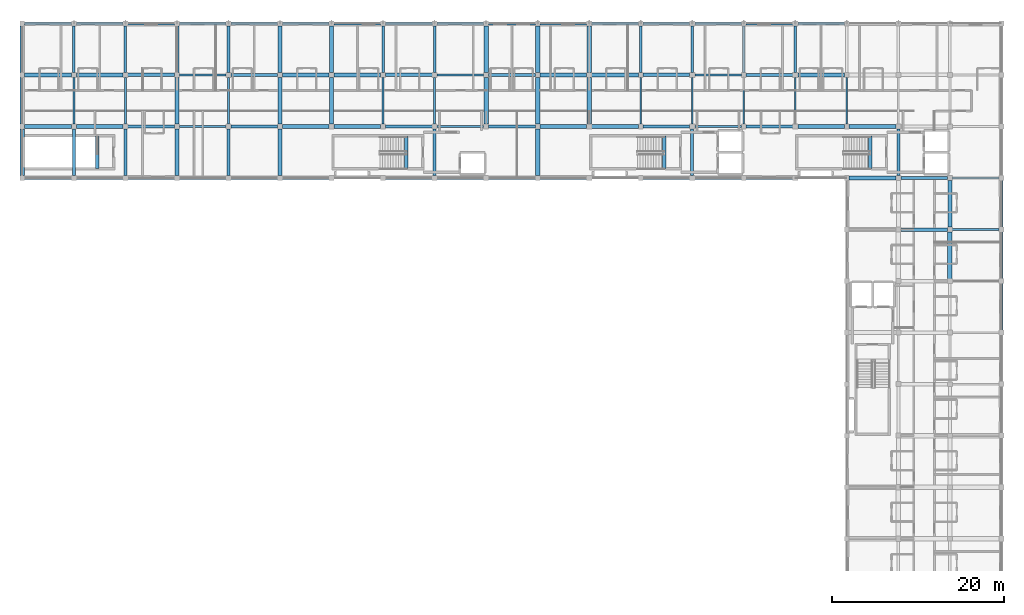
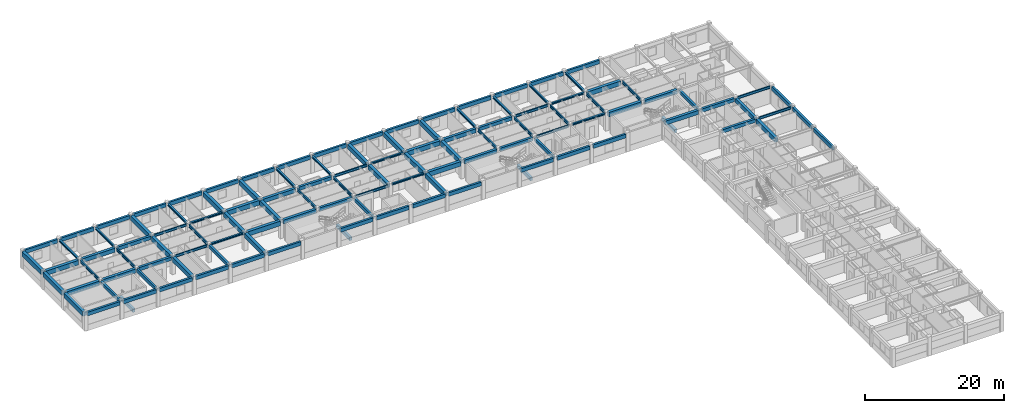
# One storey, part 2 of 21: 119 beams.
"""IFC4 building model written with IfcOpenShell, lengths in metres."""

from ifc_helpers import new_model, si_unit, direction, frame, origin, origin_2d, place, context, subcontext, project, spatial, rectangle, i_section, extrude, material, material_profile, profile_set, type_object, element, save


model = new_model("IFC4")

# Units and contexts
model_context = context("Model", 3, precision=1e-05, world=origin(), true_north=direction((0.0, 1.0)))
body_context = subcontext(model_context, "Body", "Model", "MODEL_VIEW")
ifc_project = project(units=[si_unit("LENGTHUNIT", "METRE"), si_unit("AREAUNIT", "SQUARE_METRE"), si_unit("VOLUMEUNIT", "CUBIC_METRE"), si_unit("PLANEANGLEUNIT", "RADIAN"), si_unit("MASSUNIT", "GRAM", prefix="KILO"), si_unit("THERMODYNAMICTEMPERATUREUNIT", "KELVIN"), si_unit("POWERUNIT", "WATT")], contexts=[model_context])

# Site, building, storey
site_placement = place(None, origin())
site = spatial("IfcSite", under=ifc_project, at=site_placement, CompositionType="ELEMENT")
building_placement = place(site_placement, origin())
building = spatial("IfcBuilding", under=site, at=building_placement, Name="Phaisarnlok Congress Hotel", CompositionType="ELEMENT")
storey_placement = place(building_placement, frame((0.0, 0.0, 34.800048828125)))
storey = spatial("IfcBuildingStorey", under=building, at=storey_placement, Name="L08", CompositionType="ELEMENT", Elevation=34.800048828125)

# Beams
ifc_material_1 = material(Name="Concrete C40/50", Category="concrete")
ifc_material_profile_1 = material_profile(ifc_material_1, rectangle(XDim=0.35009765625, YDim=0.550048828125, at=origin_2d()), Name="RC 350x550")
ifc_profile_set_1 = profile_set([ifc_material_profile_1], Name="Concrete C40/50")
beam_type_1 = type_object("IfcBeamType", Name="BM-RC-350x550", PredefinedType="BEAM", material=ifc_profile_set_1)
beam_1_placement = place(storey_placement, frame((72.0, 108.294921875, 2.820068359375), z_axis=(0.0, 1.0, 0.0), x_axis=(-1.0, 0.0, 0.0)))
element("IfcBeam", 1, at=beam_1_placement, inside=storey, type_object=beam_type_1, Name="Beam B-01", PredefinedType="BEAM", context=body_context, shape_type="SweptSolid", body=[
    extrude(rectangle(XDim=0.35009765625, YDim=0.550048828125, at=origin_2d()), origin(), (0.0, 0.0, 1.0), 5.41015625),
])
for number, where, z_axis, x_axis, name in (
    (2, (78.0, 108.27001953125, 2.820068359375), (0.0, 1.0, 0.0), (-1.0, 0.0, 0.0), "Beam B-01"),
    (3, (90.0, 108.27001953125, 2.820068359375), (0.0, 1.0, 0.0), (-1.0, 0.0, 0.0), "Beam B-01"),
    (4, (114.0, 108.27001953125, 2.794921875), (0.0, 1.0, 0.0), (-1.0, 0.0, 0.0), "Beam B-01"),
):
    element("IfcBeam", number, at=place(storey_placement, frame(where, z_axis=z_axis, x_axis=x_axis)), inside=storey, type_object=beam_type_1, Name=name, PredefinedType="BEAM", context=body_context, shape_type="SweptSolid", body=[
        extrude(rectangle(XDim=0.35009765625, YDim=0.550048828125, at=origin_2d()), origin(), (0.0, 0.0, 1.0), 5.4599609375),
    ])
for number, where, z_axis, x_axis, name in (
    (5, (144.0, 108.294921875, 2.794921875), (0.0, 1.0, 0.0), (-1.0, 0.0, 0.0), "Beam B-01"),
    (6, (168.0, 108.294921875, 2.794921875), (0.0, 1.0, 0.0), (-1.0, 0.0, 0.0), "Beam B-01"),
):
    element("IfcBeam", number, at=place(storey_placement, frame(where, z_axis=z_axis, x_axis=x_axis)), inside=storey, type_object=beam_type_1, Name=name, PredefinedType="BEAM", context=body_context, shape_type="SweptSolid", body=[
        extrude(rectangle(XDim=0.35009765625, YDim=0.550048828125, at=origin_2d()), origin(), (0.0, 0.0, 1.0), 5.41015625),
    ])
ifc_material_profile_2 = material_profile(ifc_material_1, rectangle(XDim=0.39990234375, YDim=0.60009765625, at=origin_2d()), Name="RC 400x600")
ifc_profile_set_2 = profile_set([ifc_material_profile_2], Name="Concrete C40/50")
beam_type_2 = type_object("IfcBeamType", Name="BM-RC-400x600", PredefinedType="BEAM", material=ifc_profile_set_2)
for number, where, z_axis, x_axis, name in (
    (7, (78.27001953125, 114.0, 2.794921875), (1.0, 0.0, 0.0), (0.0, 1.0, 0.0), "Beam B-02"),
    (8, (78.27001953125, 120.0, 2.794921875), (1.0, 0.0, 0.0), (0.0, 1.0, 0.0), "Beam B-02"),
    (9, (108.294921875, 114.0, 2.77001953125), (1.0, 0.0, 0.0), (0.0, 1.0, 0.0), "Beam B-02"),
    (10, (108.294921875, 120.0, 2.77001953125), (1.0, 0.0, 0.0), (0.0, 1.0, 0.0), "Beam B-02"),
    (11, (138.27001953125, 114.0, 2.77001953125), (1.0, 0.0, 0.0), (0.0, 1.0, 0.0), "Beam B-02"),
    (12, (138.27001953125, 120.0, 2.77001953125), (1.0, 0.0, 0.0), (0.0, 1.0, 0.0), "Beam B-02"),
    (13, (168.294921875, 102.0, 2.77001953125), (1.0, 0.0, 0.0), (0.0, 1.0, 0.0), "Beam B-02"),
    (14, (168.294921875, 108.0, 2.77001953125), (1.0, 0.0, 0.0), (0.0, 1.0, 0.0), "Beam B-02"),
):
    element("IfcBeam", number, at=place(storey_placement, frame(where, z_axis=z_axis, x_axis=x_axis)), inside=storey, type_object=beam_type_2, Name=name, PredefinedType="BEAM", context=body_context, shape_type="SweptSolid", body=[
        extrude(rectangle(XDim=0.39990234375, YDim=0.60009765625, at=origin_2d()), origin(), (0.0, 0.0, 1.0), 5.43505859375),
    ])
for number, where, z_axis, x_axis, name in (
    (15, (164.719970703125, 109.080078125, -0.300048828125), (0.0, 1.0, 0.0), (-1.0, 0.0, 0.0), "Stair landing header beam B-02 (CORE-1 L08)"),
    (16, (140.719970703125, 109.080078125, -0.300048828125), (0.0, 1.0, 0.0), (-1.0, 0.0, 0.0), "Stair landing header beam B-02 (CORE-2 L08)"),
    (17, (110.719970703125, 109.080078125, -0.300048828125), (0.0, 1.0, 0.0), (-1.0, 0.0, 0.0), "Stair landing header beam B-02 (CORE-4 L08)"),
    (18, (74.719970703125, 109.080078125, -0.300048828125), (0.0, 1.0, 0.0), (-1.0, 0.0, 0.0), "Stair landing header beam B-02 (STAIR-HW L08)"),
):
    element("IfcBeam", number, at=place(storey_placement, frame(where, z_axis=z_axis, x_axis=x_axis)), inside=storey, type_object=beam_type_2, Name=name, PredefinedType="BEAM", context=body_context, shape_type="SweptSolid", body=[
        extrude(rectangle(XDim=0.39990234375, YDim=0.60009765625, at=origin_2d()), origin(), (0.0, 0.0, 1.0), 3.83984375),
    ])
ifc_material_profile_3 = material_profile(ifc_material_1, rectangle(XDim=0.449951171875, YDim=0.699951171875, at=origin_2d()), Name="RC 450x700")
ifc_profile_set_3 = profile_set([ifc_material_profile_3], Name="Concrete C40/50")
beam_type_3 = type_object("IfcBeamType", Name="BM-RC-450x700", PredefinedType="BEAM", material=ifc_profile_set_3)
for number, where, z_axis, x_axis, name in (
    (19, (72.294921875, 114.0, 2.744873046875), (1.0, 0.0, 0.0), (0.0, 1.0, 0.0), "Beam B-03"),
    (20, (72.294921875, 120.0, 2.744873046875), (1.0, 0.0, 0.0), (0.0, 1.0, 0.0), "Beam B-03"),
    (21, (102.27001953125, 114.0, 2.719970703125), (1.0, 0.0, 0.0), (0.0, 1.0, 0.0), "Beam B-03"),
    (22, (102.27001953125, 120.0, 2.719970703125), (1.0, 0.0, 0.0), (0.0, 1.0, 0.0), "Beam B-03"),
    (23, (132.294921875, 114.0, 2.719970703125), (1.0, 0.0, 0.0), (0.0, 1.0, 0.0), "Beam B-03"),
    (24, (132.294921875, 120.0, 2.719970703125), (1.0, 0.0, 0.0), (0.0, 1.0, 0.0), "Beam B-03"),
    (25, (162.27001953125, 108.0, 2.719970703125), (1.0, 0.0, 0.0), (0.0, 1.0, 0.0), "Beam B-03"),
    (26, (162.27001953125, 114.0, 2.719970703125), (1.0, 0.0, 0.0), (0.0, 1.0, 0.0), "Beam B-03"),
):
    element("IfcBeam", number, at=place(storey_placement, frame(where, z_axis=z_axis, x_axis=x_axis)), inside=storey, type_object=beam_type_3, Name=name, PredefinedType="BEAM", context=body_context, shape_type="SweptSolid", body=[
        extrude(rectangle(XDim=0.449951171875, YDim=0.699951171875, at=origin_2d()), origin(), (0.0, 0.0, 1.0), 5.43505859375),
    ])
beam_2_placement = place(storey_placement, frame((174.0, 102.27001953125, 2.719970703125), z_axis=(0.0, 1.0, 0.0), x_axis=(-1.0, 0.0, 0.0)))
element("IfcBeam", 27, at=beam_2_placement, inside=storey, type_object=beam_type_3, Name="Beam B-03", PredefinedType="BEAM", context=body_context, shape_type="SweptSolid", body=[
    extrude(rectangle(XDim=0.449951171875, YDim=0.699951171875, at=origin_2d()), origin(), (0.0, 0.0, 1.0), 5.4599609375),
])
ifc_material_profile_4 = material_profile(ifc_material_1, rectangle(XDim=0.5, YDim=0.800048828125, at=origin_2d()), Name="RC 500x800")
ifc_profile_set_4 = profile_set([ifc_material_profile_4], Name="Concrete C40/50")
beam_type_4 = type_object("IfcBeamType", Name="BM-RC-500x800", PredefinedType="BEAM", material=ifc_profile_set_4)
for number, where, z_axis, x_axis, name in (
    (28, (66.27001953125, 114.0, 2.695068359375), (1.0, 0.0, 0.0), (0.0, 1.0, 0.0), "Beam B-04"),
    (29, (66.27001953125, 120.0, 2.695068359375), (1.0, 0.0, 0.0), (0.0, 1.0, 0.0), "Beam B-04"),
):
    element("IfcBeam", number, at=place(storey_placement, frame(where, z_axis=z_axis, x_axis=x_axis)), inside=storey, type_object=beam_type_4, Name=name, PredefinedType="BEAM", context=body_context, shape_type="SweptSolid", body=[
        extrude(rectangle(XDim=0.5, YDim=0.800048828125, at=origin_2d()), origin(), (0.0, 0.0, 1.0), 5.43505859375),
    ])
for number, where, z_axis, x_axis, name in (
    (30, (84.0, 108.294921875, 2.695068359375), (0.0, 1.0, 0.0), (-1.0, 0.0, 0.0), "Beam B-04"),
    (31, (84.0, 114.294921875, 2.695068359375), (0.0, 1.0, 0.0), (-1.0, 0.0, 0.0), "Beam B-04"),
    (32, (84.0, 120.294921875, 2.695068359375), (0.0, 1.0, 0.0), (-1.0, 0.0, 0.0), "Beam B-04"),
    (33, (96.0, 108.294921875, 2.695068359375), (0.0, 1.0, 0.0), (-1.0, 0.0, 0.0), "Beam B-04"),
):
    element("IfcBeam", number, at=place(storey_placement, frame(where, z_axis=z_axis, x_axis=x_axis)), inside=storey, type_object=beam_type_4, Name=name, PredefinedType="BEAM", context=body_context, shape_type="SweptSolid", body=[
        extrude(rectangle(XDim=0.5, YDim=0.800048828125, at=origin_2d()), origin(), (0.0, 0.0, 1.0), 5.41015625),
    ])
beam_3_placement = place(storey_placement, frame((96.294921875, 114.0, 2.695068359375), z_axis=(1.0, 0.0, 0.0), x_axis=(0.0, 1.0, 0.0)))
element("IfcBeam", 34, at=beam_3_placement, inside=storey, type_object=beam_type_4, Name="Beam B-04", PredefinedType="BEAM", context=body_context, shape_type="SweptSolid", body=[
    extrude(rectangle(XDim=0.5, YDim=0.800048828125, at=origin_2d()), origin(), (0.0, 0.0, 1.0), 5.43505859375),
])
beam_4_placement = place(storey_placement, frame((96.0, 114.294921875, 2.695068359375), z_axis=(0.0, 1.0, 0.0), x_axis=(-1.0, 0.0, 0.0)))
element("IfcBeam", 35, at=beam_4_placement, inside=storey, type_object=beam_type_4, Name="Beam B-04", PredefinedType="BEAM", context=body_context, shape_type="SweptSolid", body=[
    extrude(rectangle(XDim=0.5, YDim=0.800048828125, at=origin_2d()), origin(), (0.0, 0.0, 1.0), 5.41015625),
])
beam_5_placement = place(storey_placement, frame((96.294921875, 120.0, 2.695068359375), z_axis=(1.0, 0.0, 0.0), x_axis=(0.0, 1.0, 0.0)))
element("IfcBeam", 36, at=beam_5_placement, inside=storey, type_object=beam_type_4, Name="Beam B-04", PredefinedType="BEAM", context=body_context, shape_type="SweptSolid", body=[
    extrude(rectangle(XDim=0.5, YDim=0.800048828125, at=origin_2d()), origin(), (0.0, 0.0, 1.0), 5.43505859375),
])
beam_6_placement = place(storey_placement, frame((96.0, 120.294921875, 2.695068359375), z_axis=(0.0, 1.0, 0.0), x_axis=(-1.0, 0.0, 0.0)))
element("IfcBeam", 37, at=beam_6_placement, inside=storey, type_object=beam_type_4, Name="Beam B-04", PredefinedType="BEAM", context=body_context, shape_type="SweptSolid", body=[
    extrude(rectangle(XDim=0.5, YDim=0.800048828125, at=origin_2d()), origin(), (0.0, 0.0, 1.0), 5.41015625),
])
for number, where, z_axis, x_axis, name in (
    (38, (102.0, 114.27001953125, 2.669921875), (0.0, 1.0, 0.0), (-1.0, 0.0, 0.0), "Beam B-04"),
    (39, (102.0, 120.27001953125, 2.669921875), (0.0, 1.0, 0.0), (-1.0, 0.0, 0.0), "Beam B-04"),
):
    element("IfcBeam", number, at=place(storey_placement, frame(where, z_axis=z_axis, x_axis=x_axis)), inside=storey, type_object=beam_type_4, Name=name, PredefinedType="BEAM", context=body_context, shape_type="SweptSolid", body=[
        extrude(rectangle(XDim=0.5, YDim=0.800048828125, at=origin_2d()), origin(), (0.0, 0.0, 1.0), 5.4599609375),
    ])
for number, where, z_axis, x_axis, name in (
    (40, (120.0, 114.294921875, 2.669921875), (0.0, 1.0, 0.0), (-1.0, 0.0, 0.0), "Beam B-04"),
    (41, (120.0, 120.294921875, 2.669921875), (0.0, 1.0, 0.0), (-1.0, 0.0, 0.0), "Beam B-04"),
):
    element("IfcBeam", number, at=place(storey_placement, frame(where, z_axis=z_axis, x_axis=x_axis)), inside=storey, type_object=beam_type_4, Name=name, PredefinedType="BEAM", context=body_context, shape_type="SweptSolid", body=[
        extrude(rectangle(XDim=0.5, YDim=0.800048828125, at=origin_2d()), origin(), (0.0, 0.0, 1.0), 5.41015625),
    ])
beam_7_placement = place(storey_placement, frame((126.0, 108.27001953125, 2.669921875), z_axis=(0.0, 1.0, 0.0), x_axis=(-1.0, 0.0, 0.0)))
element("IfcBeam", 42, at=beam_7_placement, inside=storey, type_object=beam_type_4, Name="Beam B-04", PredefinedType="BEAM", context=body_context, shape_type="SweptSolid", body=[
    extrude(rectangle(XDim=0.5, YDim=0.800048828125, at=origin_2d()), origin(), (0.0, 0.0, 1.0), 5.4599609375),
])
beam_8_placement = place(storey_placement, frame((126.27001953125, 114.0, 2.669921875), z_axis=(1.0, 0.0, 0.0), x_axis=(0.0, 1.0, 0.0)))
element("IfcBeam", 43, at=beam_8_placement, inside=storey, type_object=beam_type_4, Name="Beam B-04", PredefinedType="BEAM", context=body_context, shape_type="SweptSolid", body=[
    extrude(rectangle(XDim=0.5, YDim=0.800048828125, at=origin_2d()), origin(), (0.0, 0.0, 1.0), 5.43505859375),
])
beam_9_placement = place(storey_placement, frame((126.0, 114.27001953125, 2.669921875), z_axis=(0.0, 1.0, 0.0), x_axis=(-1.0, 0.0, 0.0)))
element("IfcBeam", 44, at=beam_9_placement, inside=storey, type_object=beam_type_4, Name="Beam B-04", PredefinedType="BEAM", context=body_context, shape_type="SweptSolid", body=[
    extrude(rectangle(XDim=0.5, YDim=0.800048828125, at=origin_2d()), origin(), (0.0, 0.0, 1.0), 5.4599609375),
])
beam_10_placement = place(storey_placement, frame((126.27001953125, 120.0, 2.669921875), z_axis=(1.0, 0.0, 0.0), x_axis=(0.0, 1.0, 0.0)))
element("IfcBeam", 45, at=beam_10_placement, inside=storey, type_object=beam_type_4, Name="Beam B-04", PredefinedType="BEAM", context=body_context, shape_type="SweptSolid", body=[
    extrude(rectangle(XDim=0.5, YDim=0.800048828125, at=origin_2d()), origin(), (0.0, 0.0, 1.0), 5.43505859375),
])
beam_11_placement = place(storey_placement, frame((126.0, 120.27001953125, 2.669921875), z_axis=(0.0, 1.0, 0.0), x_axis=(-1.0, 0.0, 0.0)))
element("IfcBeam", 46, at=beam_11_placement, inside=storey, type_object=beam_type_4, Name="Beam B-04", PredefinedType="BEAM", context=body_context, shape_type="SweptSolid", body=[
    extrude(rectangle(XDim=0.5, YDim=0.800048828125, at=origin_2d()), origin(), (0.0, 0.0, 1.0), 5.4599609375),
])
for number, where, z_axis, x_axis, name in (
    (47, (132.0, 114.294921875, 2.669921875), (0.0, 1.0, 0.0), (-1.0, 0.0, 0.0), "Beam B-04"),
    (48, (132.0, 120.294921875, 2.669921875), (0.0, 1.0, 0.0), (-1.0, 0.0, 0.0), "Beam B-04"),
):
    element("IfcBeam", number, at=place(storey_placement, frame(where, z_axis=z_axis, x_axis=x_axis)), inside=storey, type_object=beam_type_4, Name=name, PredefinedType="BEAM", context=body_context, shape_type="SweptSolid", body=[
        extrude(rectangle(XDim=0.5, YDim=0.800048828125, at=origin_2d()), origin(), (0.0, 0.0, 1.0), 5.41015625),
    ])
for number, where, z_axis, x_axis, name in (
    (49, (156.294921875, 114.0, 2.669921875), (1.0, 0.0, 0.0), (0.0, 1.0, 0.0), "Beam B-04"),
    (50, (156.294921875, 120.0, 2.669921875), (1.0, 0.0, 0.0), (0.0, 1.0, 0.0), "Beam B-04"),
):
    element("IfcBeam", number, at=place(storey_placement, frame(where, z_axis=z_axis, x_axis=x_axis)), inside=storey, type_object=beam_type_4, Name=name, PredefinedType="BEAM", context=body_context, shape_type="SweptSolid", body=[
        extrude(rectangle(XDim=0.5, YDim=0.800048828125, at=origin_2d()), origin(), (0.0, 0.0, 1.0), 5.43505859375),
    ])
beam_12_placement = place(storey_placement, frame((174.0, 96.27001953125, 2.669921875), z_axis=(0.0, 1.0, 0.0), x_axis=(-1.0, 0.0, 0.0)))
element("IfcBeam", 51, at=beam_12_placement, inside=storey, type_object=beam_type_4, Name="Beam B-04", PredefinedType="BEAM", context=body_context, shape_type="SweptSolid", body=[
    extrude(rectangle(XDim=0.5, YDim=0.800048828125, at=origin_2d()), origin(), (0.0, 0.0, 1.0), 5.4599609375),
])
ifc_material_2 = material(Name="Steel S355", Category="steel")
ifc_material_profile_5 = material_profile(ifc_material_2, i_section(OverallWidth=0.300048828125, OverallDepth=0.2900390625, WebThickness=0.008544921875, FlangeThickness=0.013916015625, FilletRadius=0.027099609375, at=origin_2d()), Name="HEA 300")
ifc_profile_set_5 = profile_set([ifc_material_profile_5], Name="Steel S355")
beam_type_5 = type_object("IfcBeamType", Name="BM-STL-HEA300", PredefinedType="BEAM", material=ifc_profile_set_5)
for number, where, z_axis, x_axis, name in (
    (52, (90.27001953125, 114.0, 2.949951171875), (1.0, 0.0, 0.0), (0.0, 1.0, 0.0), "Beam SB-05"),
    (53, (90.27001953125, 120.0, 2.949951171875), (1.0, 0.0, 0.0), (0.0, 1.0, 0.0), "Beam SB-05"),
    (54, (120.294921875, 114.0, 2.925048828125), (1.0, 0.0, 0.0), (0.0, 1.0, 0.0), "Beam SB-05"),
    (55, (120.294921875, 120.0, 2.925048828125), (1.0, 0.0, 0.0), (0.0, 1.0, 0.0), "Beam SB-05"),
    (56, (150.27001953125, 114.0, 2.925048828125), (1.0, 0.0, 0.0), (0.0, 1.0, 0.0), "Beam SB-05"),
    (57, (150.27001953125, 120.0, 2.925048828125), (1.0, 0.0, 0.0), (0.0, 1.0, 0.0), "Beam SB-05"),
):
    element("IfcBeam", number, at=place(storey_placement, frame(where, z_axis=z_axis, x_axis=x_axis)), inside=storey, type_object=beam_type_5, Name=name, PredefinedType="BEAM", context=body_context, shape_type="SweptSolid", body=[
        extrude(i_section(OverallWidth=0.300048828125, OverallDepth=0.2900390625, WebThickness=0.008544921875, FlangeThickness=0.013916015625, FilletRadius=0.027099609375, at=origin_2d()), origin(), (0.0, 0.0, 1.0), 5.43505859375),
    ])
ifc_material_profile_6 = material_profile(ifc_material_2, i_section(OverallWidth=0.300048828125, OverallDepth=0.340087890625, WebThickness=0.011962890625, FlangeThickness=0.021484375, FilletRadius=0.027099609375, at=origin_2d()), Name="HEB 340")
ifc_profile_set_6 = profile_set([ifc_material_profile_6], Name="Steel S355")
beam_type_6 = type_object("IfcBeamType", Name="BM-STL-HEB340", PredefinedType="BEAM", material=ifc_profile_set_6)
beam_13_placement = place(storey_placement, frame((72.0, 120.294921875, 2.925048828125), z_axis=(0.0, 1.0, 0.0), x_axis=(-1.0, 0.0, 0.0)))
element("IfcBeam", 58, at=beam_13_placement, inside=storey, type_object=beam_type_6, Name="Beam SB-07", PredefinedType="BEAM", context=body_context, shape_type="SweptSolid", body=[
    extrude(i_section(OverallWidth=0.300048828125, OverallDepth=0.340087890625, WebThickness=0.011962890625, FlangeThickness=0.021484375, FilletRadius=0.027099609375, at=origin_2d()), origin(), (0.0, 0.0, 1.0), 5.41015625),
])
for number, where, z_axis, x_axis, name in (
    (59, (78.0, 120.27001953125, 2.925048828125), (0.0, 1.0, 0.0), (-1.0, 0.0, 0.0), "Beam SB-07"),
    (60, (90.0, 120.27001953125, 2.925048828125), (0.0, 1.0, 0.0), (-1.0, 0.0, 0.0), "Beam SB-07"),
):
    element("IfcBeam", number, at=place(storey_placement, frame(where, z_axis=z_axis, x_axis=x_axis)), inside=storey, type_object=beam_type_6, Name=name, PredefinedType="BEAM", context=body_context, shape_type="SweptSolid", body=[
        extrude(i_section(OverallWidth=0.300048828125, OverallDepth=0.340087890625, WebThickness=0.011962890625, FlangeThickness=0.021484375, FilletRadius=0.027099609375, at=origin_2d()), origin(), (0.0, 0.0, 1.0), 5.4599609375),
    ])
beam_14_placement = place(storey_placement, frame((108.0, 120.294921875, 2.89990234375), z_axis=(0.0, 1.0, 0.0), x_axis=(-1.0, 0.0, 0.0)))
element("IfcBeam", 61, at=beam_14_placement, inside=storey, type_object=beam_type_6, Name="Beam SB-07", PredefinedType="BEAM", context=body_context, shape_type="SweptSolid", body=[
    extrude(i_section(OverallWidth=0.300048828125, OverallDepth=0.340087890625, WebThickness=0.011962890625, FlangeThickness=0.021484375, FilletRadius=0.027099609375, at=origin_2d()), origin(), (0.0, 0.0, 1.0), 5.41015625),
])
for number, where, z_axis, x_axis, name in (
    (62, (114.0, 120.27001953125, 2.89990234375), (0.0, 1.0, 0.0), (-1.0, 0.0, 0.0), "Beam SB-07"),
    (63, (138.0, 120.27001953125, 2.89990234375), (0.0, 1.0, 0.0), (-1.0, 0.0, 0.0), "Beam SB-07"),
):
    element("IfcBeam", number, at=place(storey_placement, frame(where, z_axis=z_axis, x_axis=x_axis)), inside=storey, type_object=beam_type_6, Name=name, PredefinedType="BEAM", context=body_context, shape_type="SweptSolid", body=[
        extrude(i_section(OverallWidth=0.300048828125, OverallDepth=0.340087890625, WebThickness=0.011962890625, FlangeThickness=0.021484375, FilletRadius=0.027099609375, at=origin_2d()), origin(), (0.0, 0.0, 1.0), 5.4599609375),
    ])
beam_15_placement = place(storey_placement, frame((144.0, 120.294921875, 2.89990234375), z_axis=(0.0, 1.0, 0.0), x_axis=(-1.0, 0.0, 0.0)))
element("IfcBeam", 64, at=beam_15_placement, inside=storey, type_object=beam_type_6, Name="Beam SB-07", PredefinedType="BEAM", context=body_context, shape_type="SweptSolid", body=[
    extrude(i_section(OverallWidth=0.300048828125, OverallDepth=0.340087890625, WebThickness=0.011962890625, FlangeThickness=0.021484375, FilletRadius=0.027099609375, at=origin_2d()), origin(), (0.0, 0.0, 1.0), 5.41015625),
])
beam_16_placement = place(storey_placement, frame((150.0, 120.27001953125, 2.89990234375), z_axis=(0.0, 1.0, 0.0), x_axis=(-1.0, 0.0, 0.0)))
element("IfcBeam", 65, at=beam_16_placement, inside=storey, type_object=beam_type_6, Name="Beam SB-07", PredefinedType="BEAM", context=body_context, shape_type="SweptSolid", body=[
    extrude(i_section(OverallWidth=0.300048828125, OverallDepth=0.340087890625, WebThickness=0.011962890625, FlangeThickness=0.021484375, FilletRadius=0.027099609375, at=origin_2d()), origin(), (0.0, 0.0, 1.0), 5.4599609375),
])
beam_17_placement = place(storey_placement, frame((156.0, 120.294921875, 2.89990234375), z_axis=(0.0, 1.0, 0.0), x_axis=(-1.0, 0.0, 0.0)))
element("IfcBeam", 66, at=beam_17_placement, inside=storey, type_object=beam_type_6, Name="Beam SB-07", PredefinedType="BEAM", context=body_context, shape_type="SweptSolid", body=[
    extrude(i_section(OverallWidth=0.300048828125, OverallDepth=0.340087890625, WebThickness=0.011962890625, FlangeThickness=0.021484375, FilletRadius=0.027099609375, at=origin_2d()), origin(), (0.0, 0.0, 1.0), 5.41015625),
])
ifc_material_profile_7 = material_profile(ifc_material_2, i_section(OverallWidth=0.18994140625, OverallDepth=0.449951171875, WebThickness=0.009521484375, FlangeThickness=0.0146484375, FilletRadius=0.02099609375, at=origin_2d()), Name="IPE 450")
ifc_profile_set_7 = profile_set([ifc_material_profile_7], Name="Steel S355")
beam_type_7 = type_object("IfcBeamType", Name="BM-STL-IPE450", PredefinedType="BEAM", material=ifc_profile_set_7)
for number, where, z_axis, x_axis, name in (
    (67, (84.294921875, 114.0, 2.869873046875), (1.0, 0.0, 0.0), (0.0, 1.0, 0.0), "Beam SB-01"),
    (68, (84.294921875, 120.0, 2.869873046875), (1.0, 0.0, 0.0), (0.0, 1.0, 0.0), "Beam SB-01"),
    (69, (114.27001953125, 114.0, 2.844970703125), (1.0, 0.0, 0.0), (0.0, 1.0, 0.0), "Beam SB-01"),
    (70, (114.27001953125, 120.0, 2.844970703125), (1.0, 0.0, 0.0), (0.0, 1.0, 0.0), "Beam SB-01"),
    (71, (144.294921875, 114.0, 2.844970703125), (1.0, 0.0, 0.0), (0.0, 1.0, 0.0), "Beam SB-01"),
    (72, (144.294921875, 120.0, 2.844970703125), (1.0, 0.0, 0.0), (0.0, 1.0, 0.0), "Beam SB-01"),
    (73, (174.27001953125, 102.0, 2.844970703125), (1.0, 0.0, 0.0), (0.0, 1.0, 0.0), "Beam SB-01"),
    (74, (174.27001953125, 108.0, 2.844970703125), (1.0, 0.0, 0.0), (0.0, 1.0, 0.0), "Beam SB-01"),
):
    element("IfcBeam", number, at=place(storey_placement, frame(where, z_axis=z_axis, x_axis=x_axis)), inside=storey, type_object=beam_type_7, Name=name, PredefinedType="BEAM", context=body_context, shape_type="SweptSolid", body=[
        extrude(i_section(OverallWidth=0.18994140625, OverallDepth=0.449951171875, WebThickness=0.009521484375, FlangeThickness=0.0146484375, FilletRadius=0.02099609375, at=origin_2d()), origin(), (0.0, 0.0, 1.0), 5.43505859375),
    ])
ifc_material_profile_8 = material_profile(ifc_material_2, i_section(OverallWidth=0.199951171875, OverallDepth=0.5, WebThickness=0.01025390625, FlangeThickness=0.01611328125, FilletRadius=0.02099609375, at=origin_2d()), Name="IPE 500")
ifc_profile_set_8 = profile_set([ifc_material_profile_8], Name="Steel S355")
beam_type_8 = type_object("IfcBeamType", Name="BM-STL-IPE500", PredefinedType="BEAM", material=ifc_profile_set_8)
beam_18_placement = place(storey_placement, frame((72.0, 114.294921875, 2.844970703125), z_axis=(0.0, 1.0, 0.0), x_axis=(-1.0, 0.0, 0.0)))
element("IfcBeam", 75, at=beam_18_placement, inside=storey, type_object=beam_type_8, Name="Beam SB-02", PredefinedType="BEAM", context=body_context, shape_type="SweptSolid", body=[
    extrude(i_section(OverallWidth=0.199951171875, OverallDepth=0.5, WebThickness=0.01025390625, FlangeThickness=0.01611328125, FilletRadius=0.02099609375, at=origin_2d()), origin(), (0.0, 0.0, 1.0), 5.41015625),
])
for number, where, z_axis, x_axis, name in (
    (76, (78.0, 114.27001953125, 2.844970703125), (0.0, 1.0, 0.0), (-1.0, 0.0, 0.0), "Beam SB-02"),
    (77, (90.0, 114.27001953125, 2.844970703125), (0.0, 1.0, 0.0), (-1.0, 0.0, 0.0), "Beam SB-02"),
):
    element("IfcBeam", number, at=place(storey_placement, frame(where, z_axis=z_axis, x_axis=x_axis)), inside=storey, type_object=beam_type_8, Name=name, PredefinedType="BEAM", context=body_context, shape_type="SweptSolid", body=[
        extrude(i_section(OverallWidth=0.199951171875, OverallDepth=0.5, WebThickness=0.01025390625, FlangeThickness=0.01611328125, FilletRadius=0.02099609375, at=origin_2d()), origin(), (0.0, 0.0, 1.0), 5.4599609375),
    ])
beam_19_placement = place(storey_placement, frame((108.0, 114.294921875, 2.820068359375), z_axis=(0.0, 1.0, 0.0), x_axis=(-1.0, 0.0, 0.0)))
element("IfcBeam", 78, at=beam_19_placement, inside=storey, type_object=beam_type_8, Name="Beam SB-02", PredefinedType="BEAM", context=body_context, shape_type="SweptSolid", body=[
    extrude(i_section(OverallWidth=0.199951171875, OverallDepth=0.5, WebThickness=0.01025390625, FlangeThickness=0.01611328125, FilletRadius=0.02099609375, at=origin_2d()), origin(), (0.0, 0.0, 1.0), 5.41015625),
])
for number, where, z_axis, x_axis, name in (
    (79, (114.0, 114.27001953125, 2.820068359375), (0.0, 1.0, 0.0), (-1.0, 0.0, 0.0), "Beam SB-02"),
    (80, (138.0, 114.27001953125, 2.820068359375), (0.0, 1.0, 0.0), (-1.0, 0.0, 0.0), "Beam SB-02"),
):
    element("IfcBeam", number, at=place(storey_placement, frame(where, z_axis=z_axis, x_axis=x_axis)), inside=storey, type_object=beam_type_8, Name=name, PredefinedType="BEAM", context=body_context, shape_type="SweptSolid", body=[
        extrude(i_section(OverallWidth=0.199951171875, OverallDepth=0.5, WebThickness=0.01025390625, FlangeThickness=0.01611328125, FilletRadius=0.02099609375, at=origin_2d()), origin(), (0.0, 0.0, 1.0), 5.4599609375),
    ])
beam_20_placement = place(storey_placement, frame((144.0, 114.294921875, 2.820068359375), z_axis=(0.0, 1.0, 0.0), x_axis=(-1.0, 0.0, 0.0)))
element("IfcBeam", 81, at=beam_20_placement, inside=storey, type_object=beam_type_8, Name="Beam SB-02", PredefinedType="BEAM", context=body_context, shape_type="SweptSolid", body=[
    extrude(i_section(OverallWidth=0.199951171875, OverallDepth=0.5, WebThickness=0.01025390625, FlangeThickness=0.01611328125, FilletRadius=0.02099609375, at=origin_2d()), origin(), (0.0, 0.0, 1.0), 5.41015625),
])
beam_21_placement = place(storey_placement, frame((150.0, 114.27001953125, 2.820068359375), z_axis=(0.0, 1.0, 0.0), x_axis=(-1.0, 0.0, 0.0)))
element("IfcBeam", 82, at=beam_21_placement, inside=storey, type_object=beam_type_8, Name="Beam SB-02", PredefinedType="BEAM", context=body_context, shape_type="SweptSolid", body=[
    extrude(i_section(OverallWidth=0.199951171875, OverallDepth=0.5, WebThickness=0.01025390625, FlangeThickness=0.01611328125, FilletRadius=0.02099609375, at=origin_2d()), origin(), (0.0, 0.0, 1.0), 5.4599609375),
])
beam_22_placement = place(storey_placement, frame((156.0, 114.294921875, 2.820068359375), z_axis=(0.0, 1.0, 0.0), x_axis=(-1.0, 0.0, 0.0)))
element("IfcBeam", 83, at=beam_22_placement, inside=storey, type_object=beam_type_8, Name="Beam SB-02", PredefinedType="BEAM", context=body_context, shape_type="SweptSolid", body=[
    extrude(i_section(OverallWidth=0.199951171875, OverallDepth=0.5, WebThickness=0.01025390625, FlangeThickness=0.01611328125, FilletRadius=0.02099609375, at=origin_2d()), origin(), (0.0, 0.0, 1.0), 5.41015625),
])
beam_23_placement = place(storey_placement, frame((162.0, 114.27001953125, 2.820068359375), z_axis=(0.0, 1.0, 0.0), x_axis=(-1.0, 0.0, 0.0)))
element("IfcBeam", 84, at=beam_23_placement, inside=storey, type_object=beam_type_8, Name="Beam SB-02", PredefinedType="BEAM", context=body_context, shape_type="SweptSolid", body=[
    extrude(i_section(OverallWidth=0.199951171875, OverallDepth=0.5, WebThickness=0.01025390625, FlangeThickness=0.01611328125, FilletRadius=0.02099609375, at=origin_2d()), origin(), (0.0, 0.0, 1.0), 5.4599609375),
])
ifc_material_profile_9 = material_profile(ifc_material_1, rectangle(XDim=0.35009765625, YDim=0.64990234375, at=origin_2d()), Name="RC 350x650")
ifc_profile_set_9 = profile_set([ifc_material_profile_9], Name="Concrete C40/50")
beam_type_9 = type_object("IfcBeamType", Name="SP-RC-350x650", PredefinedType="SPANDREL", material=ifc_profile_set_9)
for number, where, z_axis, x_axis, name in (
    (85, (66.27001953125, 108.0, 2.77001953125), (1.0, 0.0, 0.0), (0.0, 1.0, 0.0), "Beam SP-01"),
    (86, (66.27001953125, 126.0, 2.77001953125), (1.0, 0.0, 0.0), (0.0, 1.0, 0.0), "Beam SP-01"),
    (87, (72.294921875, 108.0, 2.77001953125), (1.0, 0.0, 0.0), (0.0, 1.0, 0.0), "Beam SP-01"),
    (88, (72.294921875, 126.0, 2.77001953125), (1.0, 0.0, 0.0), (0.0, 1.0, 0.0), "Beam SP-01"),
    (89, (78.27001953125, 108.0, 2.77001953125), (1.0, 0.0, 0.0), (0.0, 1.0, 0.0), "Beam SP-01"),
    (90, (78.27001953125, 126.0, 2.77001953125), (1.0, 0.0, 0.0), (0.0, 1.0, 0.0), "Beam SP-01"),
    (91, (84.294921875, 108.0, 2.77001953125), (1.0, 0.0, 0.0), (0.0, 1.0, 0.0), "Beam SP-01"),
    (92, (84.294921875, 126.0, 2.77001953125), (1.0, 0.0, 0.0), (0.0, 1.0, 0.0), "Beam SP-01"),
    (93, (90.27001953125, 108.0, 2.77001953125), (1.0, 0.0, 0.0), (0.0, 1.0, 0.0), "Beam SP-01"),
    (94, (90.27001953125, 126.0, 2.77001953125), (1.0, 0.0, 0.0), (0.0, 1.0, 0.0), "Beam SP-01"),
    (95, (96.294921875, 108.0, 2.77001953125), (1.0, 0.0, 0.0), (0.0, 1.0, 0.0), "Beam SP-01"),
    (96, (96.294921875, 126.0, 2.77001953125), (1.0, 0.0, 0.0), (0.0, 1.0, 0.0), "Beam SP-01"),
    (97, (102.27001953125, 126.0, 2.744873046875), (1.0, 0.0, 0.0), (0.0, 1.0, 0.0), "Beam SP-01"),
    (98, (108.294921875, 108.0, 2.744873046875), (1.0, 0.0, 0.0), (0.0, 1.0, 0.0), "Beam SP-01"),
    (99, (108.294921875, 126.0, 2.744873046875), (1.0, 0.0, 0.0), (0.0, 1.0, 0.0), "Beam SP-01"),
    (100, (114.27001953125, 108.0, 2.744873046875), (1.0, 0.0, 0.0), (0.0, 1.0, 0.0), "Beam SP-01"),
    (101, (114.27001953125, 126.0, 2.744873046875), (1.0, 0.0, 0.0), (0.0, 1.0, 0.0), "Beam SP-01"),
    (102, (120.294921875, 108.0, 2.744873046875), (1.0, 0.0, 0.0), (0.0, 1.0, 0.0), "Beam SP-01"),
    (103, (120.294921875, 126.0, 2.744873046875), (1.0, 0.0, 0.0), (0.0, 1.0, 0.0), "Beam SP-01"),
    (104, (126.27001953125, 108.0, 2.744873046875), (1.0, 0.0, 0.0), (0.0, 1.0, 0.0), "Beam SP-01"),
    (105, (126.27001953125, 126.0, 2.744873046875), (1.0, 0.0, 0.0), (0.0, 1.0, 0.0), "Beam SP-01"),
    (106, (132.294921875, 126.0, 2.744873046875), (1.0, 0.0, 0.0), (0.0, 1.0, 0.0), "Beam SP-01"),
    (107, (138.27001953125, 108.0, 2.744873046875), (1.0, 0.0, 0.0), (0.0, 1.0, 0.0), "Beam SP-01"),
    (108, (138.27001953125, 126.0, 2.744873046875), (1.0, 0.0, 0.0), (0.0, 1.0, 0.0), "Beam SP-01"),
    (109, (144.294921875, 108.0, 2.744873046875), (1.0, 0.0, 0.0), (0.0, 1.0, 0.0), "Beam SP-01"),
    (110, (144.294921875, 126.0, 2.744873046875), (1.0, 0.0, 0.0), (0.0, 1.0, 0.0), "Beam SP-01"),
    (111, (150.27001953125, 108.0, 2.744873046875), (1.0, 0.0, 0.0), (0.0, 1.0, 0.0), "Beam SP-01"),
    (112, (150.27001953125, 126.0, 2.744873046875), (1.0, 0.0, 0.0), (0.0, 1.0, 0.0), "Beam SP-01"),
    (113, (156.294921875, 126.0, 2.744873046875), (1.0, 0.0, 0.0), (0.0, 1.0, 0.0), "Beam SP-01"),
):
    element("IfcBeam", number, at=place(storey_placement, frame(where, z_axis=z_axis, x_axis=x_axis)), inside=storey, type_object=beam_type_9, Name=name, PredefinedType="SPANDREL", context=body_context, shape_type="SweptSolid", body=[
        extrude(rectangle(XDim=0.35009765625, YDim=0.64990234375, at=origin_2d()), origin(), (0.0, 0.0, 1.0), 5.43505859375),
    ])
for number, where, z_axis, x_axis, name in (
    (114, (180.0, 90.294921875, 2.744873046875), (0.0, 1.0, 0.0), (-1.0, 0.0, 0.0), "Beam SP-01"),
    (115, (180.0, 96.294921875, 2.744873046875), (0.0, 1.0, 0.0), (-1.0, 0.0, 0.0), "Beam SP-01"),
    (116, (180.0, 102.294921875, 2.744873046875), (0.0, 1.0, 0.0), (-1.0, 0.0, 0.0), "Beam SP-01"),
):
    element("IfcBeam", number, at=place(storey_placement, frame(where, z_axis=z_axis, x_axis=x_axis)), inside=storey, type_object=beam_type_9, Name=name, PredefinedType="SPANDREL", context=body_context, shape_type="SweptSolid", body=[
        extrude(rectangle(XDim=0.35009765625, YDim=0.64990234375, at=origin_2d()), origin(), (0.0, 0.0, 1.0), 5.41015625),
    ])
ifc_material_profile_10 = material_profile(ifc_material_1, rectangle(XDim=0.5, YDim=0.800048828125, at=origin_2d()), Name="RC 500x800")
ifc_profile_set_10 = profile_set([ifc_material_profile_10], Name="Concrete C40/50")
beam_type_10 = type_object("IfcBeamType", Name="SP-RC-500x800", PredefinedType="SPANDREL", material=ifc_profile_set_10)
for number, where, z_axis, x_axis, name in (
    (117, (66.0, 108.27001953125, 2.695068359375), (0.0, 1.0, 0.0), (-1.0, 0.0, 0.0), "Beam SP-04"),
    (118, (66.0, 114.27001953125, 2.695068359375), (0.0, 1.0, 0.0), (-1.0, 0.0, 0.0), "Beam SP-04"),
    (119, (66.0, 120.27001953125, 2.695068359375), (0.0, 1.0, 0.0), (-1.0, 0.0, 0.0), "Beam SP-04"),
):
    element("IfcBeam", number, at=place(storey_placement, frame(where, z_axis=z_axis, x_axis=x_axis)), inside=storey, type_object=beam_type_10, Name=name, PredefinedType="SPANDREL", context=body_context, shape_type="SweptSolid", body=[
        extrude(rectangle(XDim=0.5, YDim=0.800048828125, at=origin_2d()), origin(), (0.0, 0.0, 1.0), 5.4599609375),
    ])

save(model, "model.ifc")
